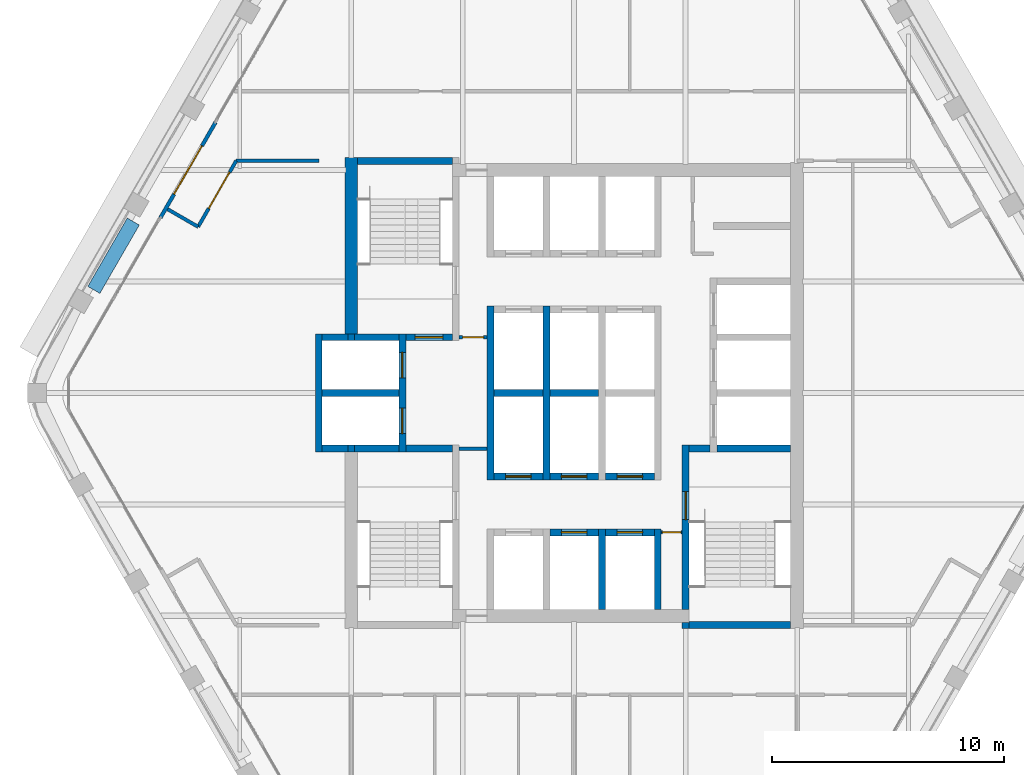
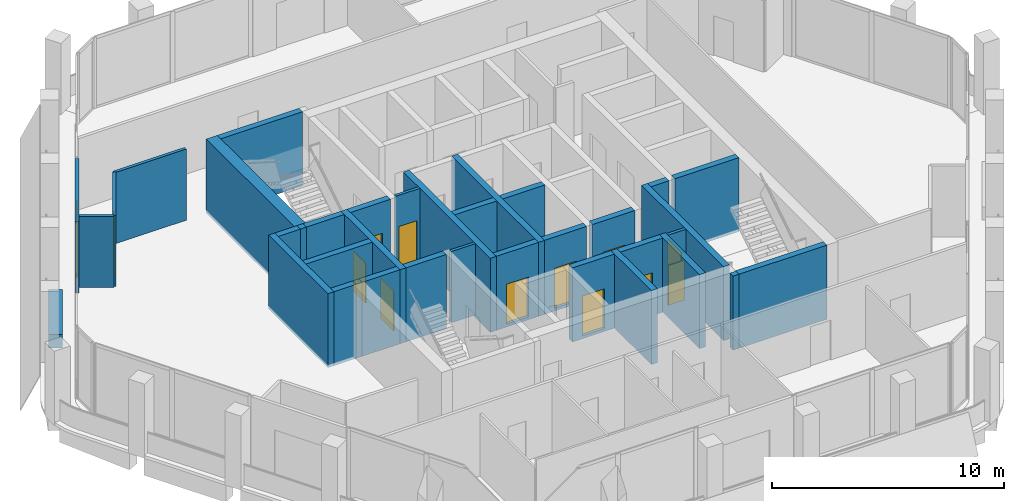
# One storey, part 8 of 13: 37 walls, 13 doors, 13 openings.
"""IFC4 building model written with IfcOpenShell, lengths in metres."""

from ifc_helpers import new_model, si_unit, direction, frame, frame_2d, origin, place, context, subcontext, project, spatial, rectangle, extrude, material, layer, layer_set, type_object, element, fill, save


model = new_model("IFC4")

# Units and contexts
model_context = context("Model", 3, precision=1e-05, world=origin(), true_north=direction((0.0, 1.0)))
body_context = subcontext(model_context, "Body", "Model", "MODEL_VIEW")
ifc_project = project(units=[si_unit("LENGTHUNIT", "METRE"), si_unit("AREAUNIT", "SQUARE_METRE"), si_unit("VOLUMEUNIT", "CUBIC_METRE"), si_unit("PLANEANGLEUNIT", "RADIAN"), si_unit("MASSUNIT", "GRAM", prefix="KILO")], contexts=[model_context])

# Site, building, storey
site_placement = place(None, origin())
site = spatial("IfcSite", under=ifc_project, at=site_placement, CompositionType="ELEMENT")
building_placement = place(site_placement, origin())
building = spatial("IfcBuilding", under=site, at=building_placement, Name="Kolab Exchange Tower", CompositionType="ELEMENT")
storey_placement = place(building_placement, frame((0.0, 0.0, 273.5)))
storey = spatial("IfcBuildingStorey", under=building, at=storey_placement, Name="L61", CompositionType="ELEMENT", Elevation=273.5)

# Wall
ifc_material_1 = material(Name="Concrete C50/60", Category="concrete")
ifc_layer_1 = layer(ifc_material_1, 0.550048828125)
ifc_layer_set_1 = layer_set([ifc_layer_1], Name="Concrete C50/60")
wall_type_1 = type_object("IfcWallType", Name="CORE WALL 550 C50/60", PredefinedType="SHEAR", material=ifc_layer_set_1)
wall_1_placement = place(storey_placement, frame((-9.60009765625, 2.550048828125, -0.14990234375), z_axis=(0.0, 0.0, 1.0), x_axis=(0.0, 1.0, 0.0)))
element("IfcWall", 1, at=wall_1_placement, inside=storey, type_object=wall_type_1, Name="wall/L61/core/037", PredefinedType="SHEAR", context=body_context, shape_type="SweptSolid", body=[
    extrude(rectangle(XDim=7.599853515625, YDim=0.550048828125, at=frame_2d((3.7998046875, 0.0))), origin(), (0.0, 0.0, 1.0), 3.89990234375),
])

# Wall, opening, door
ifc_material_2 = material(Name="Aluminium EN AW-6063 T6", Category="aluminium")
ifc_layer_2 = layer(ifc_material_2, 0.159912109375)
ifc_layer_set_2 = layer_set([ifc_layer_2], Name="Aluminium EN AW-6063 T6")
wall_type_2 = type_object("IfcWallType", Name="DOOR SURROUND WALL 160 ALUMINIUM FRAMED", PredefinedType="PARTITIONING", material=ifc_layer_set_2)
wall_2_placement = place(storey_placement, frame((-17.816650390625, 7.5498046875, 0.0), z_axis=(0.0, 0.0, 1.0), x_axis=(0.499978080042, 0.866038058908, 0.0)))
wall_2 = element("IfcWall", 2, at=wall_2_placement, inside=storey, type_object=wall_type_2, Name="Door surround wall", PredefinedType="PARTITIONING", context=body_context, shape_type="SweptSolid", body=[
    extrude(rectangle(XDim=4.739990234375, YDim=0.159912109375, at=frame_2d((2.3701171875, 0.0))), origin(), (0.0, 0.0, 1.0), 3.75),
])
opening_1_placement = place(wall_2_placement, frame((1.169921875, 0.0, 0.0)))
opening_1 = element("IfcOpeningElement", 3, at=opening_1_placement, cuts=wall_2, Name="Opening GD1-094", PredefinedType="OPENING", context=body_context, shape_type="SweptSolid", body=[
    extrude(rectangle(XDim=2.39990234375, YDim=2.39990234375, at=frame_2d((1.199951171875, 1.199951171875))), frame((0.0, 0.08984375, 0.0), z_axis=(0.0, -1.0, 0.0), x_axis=(1.0, 0.0, 0.0)), (0.0, 0.0, 1.0), 0.179931640625),
])
door_type_1 = type_object("IfcDoorType", Name="LOGGIA SLIDING GLASS DOOR 2400 X 2400", OperationType="DOUBLE_DOOR_SINGLE_SWING", PredefinedType="DOOR", material=ifc_material_2)
door_1_placement = place(opening_1_placement, origin())
door_1 = element("IfcDoor", 4, at=door_1_placement, inside=storey, type_object=door_type_1, Name="Loggia door", OperationType="DOUBLE_DOOR_SLIDING", OverallHeight=2.39990234375, OverallWidth=2.39990234375, PredefinedType="DOOR", context=body_context, shape_type="SweptSolid", body=[
    extrude(rectangle(XDim=2.39990234375, YDim=2.39990234375, at=frame_2d((1.199951171875, 1.199951171875))), frame((0.0, 0.02490234375, 0.0), z_axis=(0.0, -1.0, 0.0), x_axis=(1.0, 0.0, 0.0)), (0.0, 0.0, 1.0), 0.050048828125),
])
fill(opening_1, door_1)

ifc_layer_3 = layer(ifc_material_1, 0.300048828125)
ifc_layer_set_3 = layer_set([ifc_layer_3], Name="Concrete C50/60")
wall_type_3 = type_object("IfcWallType", Name="LIFT SHAFT WALL 300 C50/60", PredefinedType="STANDARD", material=ifc_layer_set_3)
wall_3_placement = place(storey_placement, frame((-1.050048828125, -6.0, -0.14990234375), z_axis=(0.0, 0.0, 1.0), x_axis=(1.0, 0.0, 0.0)))
wall_3 = element("IfcWall", 5, at=wall_3_placement, inside=storey, type_object=wall_type_3, Name="wall/L61/core/004", PredefinedType="STANDARD", context=body_context, shape_type="SweptSolid", body=[
    extrude(rectangle(XDim=2.10009765625, YDim=0.300048828125, at=frame_2d((1.050048828125, 0.0))), origin(), (0.0, 0.0, 1.0), 3.89990234375),
])
opening_2_placement = place(wall_3_placement, frame((0.5, 0.0, 0.14990234375)))
opening_2 = element("IfcOpeningElement", 6, at=opening_2_placement, cuts=wall_3, Name="Opening LD1-111", PredefinedType="OPENING", context=body_context, shape_type="SweptSolid", body=[
    extrude(rectangle(XDim=1.10009765625, YDim=2.10009765625, at=frame_2d((0.550048828125, 1.050048828125))), frame((0.0, 0.16015625, 0.0), z_axis=(0.0, -1.0, 0.0), x_axis=(1.0, 0.0, 0.0)), (0.0, 0.0, 1.0), 0.320068359375),
])
ifc_material_3 = material(Name="Stainless steel 316", Category="steel")
door_type_2 = type_object("IfcDoorType", Name="LANDING DOOR 1100 PASSENGER", OperationType="DOUBLE_DOOR_SLIDING", PredefinedType="DOOR", material=ifc_material_3)
door_2_placement = place(opening_2_placement, origin())
door_2 = element("IfcDoor", 7, at=door_2_placement, inside=storey, type_object=door_type_2, Name="Landing door HR11", OperationType="DOUBLE_DOOR_SLIDING", OverallHeight=2.10009765625, OverallWidth=1.10009765625, PredefinedType="DOOR", context=body_context, shape_type="SweptSolid", body=[
    extrude(rectangle(XDim=1.10009765625, YDim=2.10009765625, at=frame_2d((0.550048828125, 1.050048828125))), frame((0.0, 0.02490234375, 0.0), z_axis=(0.0, -1.0, 0.0), x_axis=(1.0, 0.0, 0.0)), (0.0, 0.0, 1.0), 0.050048828125),
])
fill(opening_2, door_2)

wall_4_placement = place(storey_placement, frame((1.35009765625, -6.0, -0.14990234375), z_axis=(0.0, 0.0, 1.0), x_axis=(1.0, 0.0, 0.0)))
wall_4 = element("IfcWall", 8, at=wall_4_placement, inside=storey, type_object=wall_type_3, Name="wall/L61/core/005", PredefinedType="STANDARD", context=body_context, shape_type="SweptSolid", body=[
    extrude(rectangle(XDim=2.099853515625, YDim=0.300048828125, at=frame_2d((1.0498046875, 0.0))), origin(), (0.0, 0.0, 1.0), 3.89990234375),
])
opening_3_placement = place(wall_4_placement, frame((0.5, 0.0, 0.14990234375)))
opening_3 = element("IfcOpeningElement", 9, at=opening_3_placement, cuts=wall_4, Name="Opening LD1-112", PredefinedType="OPENING", context=body_context, shape_type="SweptSolid", body=[
    extrude(rectangle(XDim=1.10009765625, YDim=2.10009765625, at=frame_2d((0.550048828125, 1.050048828125))), frame((0.0, 0.16015625, 0.0), z_axis=(0.0, -1.0, 0.0), x_axis=(1.0, 0.0, 0.0)), (0.0, 0.0, 1.0), 0.320068359375),
])
door_3_placement = place(opening_3_placement, origin())
door_3 = element("IfcDoor", 10, at=door_3_placement, inside=storey, type_object=door_type_2, Name="Landing door HR12", OperationType="DOUBLE_DOOR_SLIDING", OverallHeight=2.10009765625, OverallWidth=1.10009765625, PredefinedType="DOOR", context=body_context, shape_type="SweptSolid", body=[
    extrude(rectangle(XDim=1.10009765625, YDim=2.10009765625, at=frame_2d((0.550048828125, 1.050048828125))), frame((0.0, 0.02490234375, 0.0), z_axis=(0.0, -1.0, 0.0), x_axis=(1.0, 0.0, 0.0)), (0.0, 0.0, 1.0), 0.050048828125),
])
fill(opening_3, door_3)

wall_5_placement = place(storey_placement, frame((-3.449951171875, -3.60009765625, -0.14990234375), z_axis=(0.0, 0.0, 1.0), x_axis=(1.0, 0.0, 0.0)))
wall_5 = element("IfcWall", 11, at=wall_5_placement, inside=storey, type_object=wall_type_3, Name="wall/L61/core/006", PredefinedType="STANDARD", context=body_context, shape_type="SweptSolid", body=[
    extrude(rectangle(XDim=2.099853515625, YDim=0.300048828125, at=frame_2d((1.0498046875, 0.0))), origin(), (0.0, 0.0, 1.0), 3.89990234375),
])
opening_4_placement = place(wall_5_placement, frame((0.5, 0.0, 0.14990234375)))
opening_4 = element("IfcOpeningElement", 12, at=opening_4_placement, cuts=wall_5, Name="Opening LD1-118", PredefinedType="OPENING", context=body_context, shape_type="SweptSolid", body=[
    extrude(rectangle(XDim=1.10009765625, YDim=2.10009765625, at=frame_2d((0.550048828125, 1.050048828125))), frame((0.0, 0.16015625, 0.0), z_axis=(0.0, -1.0, 0.0), x_axis=(1.0, 0.0, 0.0)), (0.0, 0.0, 1.0), 0.320068359375),
])
door_4_placement = place(opening_4_placement, origin())
door_4 = element("IfcDoor", 13, at=door_4_placement, inside=storey, type_object=door_type_2, Name="Landing door HR7", OperationType="DOUBLE_DOOR_SLIDING", OverallHeight=2.10009765625, OverallWidth=1.10009765625, PredefinedType="DOOR", context=body_context, shape_type="SweptSolid", body=[
    extrude(rectangle(XDim=1.10009765625, YDim=2.10009765625, at=frame_2d((0.550048828125, 1.050048828125))), frame((0.0, 0.02490234375, 0.0), z_axis=(0.0, -1.0, 0.0), x_axis=(1.0, 0.0, 0.0)), (0.0, 0.0, 1.0), 0.050048828125),
])
fill(opening_4, door_4)

wall_6_placement = place(storey_placement, frame((-1.050048828125, -3.60009765625, -0.14990234375), z_axis=(0.0, 0.0, 1.0), x_axis=(1.0, 0.0, 0.0)))
wall_6 = element("IfcWall", 14, at=wall_6_placement, inside=storey, type_object=wall_type_3, Name="wall/L61/core/007", PredefinedType="STANDARD", context=body_context, shape_type="SweptSolid", body=[
    extrude(rectangle(XDim=2.10009765625, YDim=0.300048828125, at=frame_2d((1.050048828125, 0.0))), origin(), (0.0, 0.0, 1.0), 3.89990234375),
])
opening_5_placement = place(wall_6_placement, frame((0.5, 0.0, 0.14990234375)))
opening_5 = element("IfcOpeningElement", 15, at=opening_5_placement, cuts=wall_6, Name="Opening LD1-119", PredefinedType="OPENING", context=body_context, shape_type="SweptSolid", body=[
    extrude(rectangle(XDim=1.10009765625, YDim=2.10009765625, at=frame_2d((0.550048828125, 1.050048828125))), frame((0.0, 0.16015625, 0.0), z_axis=(0.0, -1.0, 0.0), x_axis=(1.0, 0.0, 0.0)), (0.0, 0.0, 1.0), 0.320068359375),
])
door_5_placement = place(opening_5_placement, origin())
door_5 = element("IfcDoor", 16, at=door_5_placement, inside=storey, type_object=door_type_2, Name="Landing door HR8", OperationType="DOUBLE_DOOR_SLIDING", OverallHeight=2.10009765625, OverallWidth=1.10009765625, PredefinedType="DOOR", context=body_context, shape_type="SweptSolid", body=[
    extrude(rectangle(XDim=1.10009765625, YDim=2.10009765625, at=frame_2d((0.550048828125, 1.050048828125))), frame((0.0, 0.02490234375, 0.0), z_axis=(0.0, -1.0, 0.0), x_axis=(1.0, 0.0, 0.0)), (0.0, 0.0, 1.0), 0.050048828125),
])
fill(opening_5, door_5)

wall_7_placement = place(storey_placement, frame((1.35009765625, -3.60009765625, -0.14990234375), z_axis=(0.0, 0.0, 1.0), x_axis=(1.0, 0.0, 0.0)))
wall_7 = element("IfcWall", 17, at=wall_7_placement, inside=storey, type_object=wall_type_3, Name="wall/L61/core/008", PredefinedType="STANDARD", context=body_context, shape_type="SweptSolid", body=[
    extrude(rectangle(XDim=2.099853515625, YDim=0.300048828125, at=frame_2d((1.0498046875, 0.0))), origin(), (0.0, 0.0, 1.0), 3.89990234375),
])
opening_6_placement = place(wall_7_placement, frame((0.5, 0.0, 0.14990234375)))
opening_6 = element("IfcOpeningElement", 18, at=opening_6_placement, cuts=wall_7, Name="Opening LD1-120", PredefinedType="OPENING", context=body_context, shape_type="SweptSolid", body=[
    extrude(rectangle(XDim=1.10009765625, YDim=2.10009765625, at=frame_2d((0.550048828125, 1.050048828125))), frame((0.0, 0.16015625, 0.0), z_axis=(0.0, -1.0, 0.0), x_axis=(1.0, 0.0, 0.0)), (0.0, 0.0, 1.0), 0.320068359375),
])
door_6_placement = place(opening_6_placement, origin())
door_6 = element("IfcDoor", 19, at=door_6_placement, inside=storey, type_object=door_type_2, Name="Landing door HR9", OperationType="DOUBLE_DOOR_SLIDING", OverallHeight=2.10009765625, OverallWidth=1.10009765625, PredefinedType="DOOR", context=body_context, shape_type="SweptSolid", body=[
    extrude(rectangle(XDim=1.10009765625, YDim=2.10009765625, at=frame_2d((0.550048828125, 1.050048828125))), frame((0.0, 0.02490234375, 0.0), z_axis=(0.0, -1.0, 0.0), x_axis=(1.0, 0.0, 0.0)), (0.0, 0.0, 1.0), 0.050048828125),
])
fill(opening_6, door_6)

# Walls
wall_8_placement = place(storey_placement, frame((-10.85009765625, -2.39990234375, -0.14990234375), z_axis=(0.0, 0.0, 1.0), x_axis=(1.0, 0.0, 0.0)))
element("IfcWall", 20, at=wall_8_placement, inside=storey, type_object=wall_type_3, Name="wall/L61/core/009", PredefinedType="STANDARD", context=body_context, shape_type="SweptSolid", body=[
    extrude(rectangle(XDim=1.10009765625, YDim=0.300048828125, at=frame_2d((0.550048828125, 0.0))), origin(), (0.0, 0.0, 1.0), 3.89990234375),
])
wall_9_placement = place(storey_placement, frame((-10.85009765625, 0.0, -0.14990234375), z_axis=(0.0, 0.0, 1.0), x_axis=(1.0, 0.0, 0.0)))
element("IfcWall", 21, at=wall_9_placement, inside=storey, type_object=wall_type_3, Name="wall/L61/core/014", PredefinedType="STANDARD", context=body_context, shape_type="SweptSolid", body=[
    extrude(rectangle(XDim=3.300048828125, YDim=0.300048828125, at=frame_2d((1.64990234375, 0.0))), origin(), (0.0, 0.0, 1.0), 3.89990234375),
])
wall_10_placement = place(storey_placement, frame((-3.449951171875, 0.0, -0.14990234375), z_axis=(0.0, 0.0, 1.0), x_axis=(1.0, 0.0, 0.0)))
element("IfcWall", 22, at=wall_10_placement, inside=storey, type_object=wall_type_3, Name="wall/L61/core/015", PredefinedType="STANDARD", context=body_context, shape_type="SweptSolid", body=[
    extrude(rectangle(XDim=2.099853515625, YDim=0.300048828125, at=frame_2d((1.0498046875, 0.0))), origin(), (0.0, 0.0, 1.0), 3.89990234375),
])
wall_11_placement = place(storey_placement, frame((-1.050048828125, 0.0, -0.14990234375), z_axis=(0.0, 0.0, 1.0), x_axis=(1.0, 0.0, 0.0)))
element("IfcWall", 23, at=wall_11_placement, inside=storey, type_object=wall_type_3, Name="wall/L61/core/016", PredefinedType="STANDARD", context=body_context, shape_type="SweptSolid", body=[
    extrude(rectangle(XDim=2.10009765625, YDim=0.300048828125, at=frame_2d((1.050048828125, 0.0))), origin(), (0.0, 0.0, 1.0), 3.89990234375),
])
wall_12_placement = place(storey_placement, frame((-10.85009765625, 2.39990234375, -0.14990234375), z_axis=(0.0, 0.0, 1.0), x_axis=(1.0, 0.0, 0.0)))
element("IfcWall", 24, at=wall_12_placement, inside=storey, type_object=wall_type_3, Name="wall/L61/core/019", PredefinedType="STANDARD", context=body_context, shape_type="SweptSolid", body=[
    extrude(rectangle(XDim=1.10009765625, YDim=0.300048828125, at=frame_2d((0.550048828125, 0.0))), origin(), (0.0, 0.0, 1.0), 3.89990234375),
])
wall_13_placement = place(storey_placement, frame((-11.0, -2.550048828125, -0.14990234375), z_axis=(0.0, 0.0, 1.0), x_axis=(0.0, 1.0, 0.0)))
element("IfcWall", 25, at=wall_13_placement, inside=storey, type_object=wall_type_3, Name="wall/L61/core/033", PredefinedType="STANDARD", context=body_context, shape_type="SweptSolid", body=[
    extrude(rectangle(XDim=5.10009765625, YDim=0.300048828125, at=frame_2d((2.550048828125, 0.0))), origin(), (0.0, 0.0, 1.0), 3.89990234375),
])

# Wall, openings, doors
wall_14_placement = place(storey_placement, frame((-7.39990234375, -2.550048828125, -0.14990234375), z_axis=(0.0, 0.0, 1.0), x_axis=(0.0, 1.0, 0.0)))
wall_14 = element("IfcWall", 26, at=wall_14_placement, inside=storey, type_object=wall_type_3, Name="wall/L61/core/038", PredefinedType="STANDARD", context=body_context, shape_type="SweptSolid", body=[
    extrude(rectangle(XDim=5.10009765625, YDim=0.300048828125, at=frame_2d((2.550048828125, 0.0))), origin(), (0.0, 0.0, 1.0), 3.89990234375),
])
opening_7_placement = place(wall_14_placement, frame((0.800048828125, 0.0, 0.14990234375)))
opening_7 = element("IfcOpeningElement", 27, at=opening_7_placement, cuts=wall_14, Name="Opening LD2-025", PredefinedType="OPENING", context=body_context, shape_type="SweptSolid", body=[
    extrude(rectangle(XDim=1.10009765625, YDim=2.10009765625, at=frame_2d((0.550048828125, 1.050048828125))), frame((0.0, 0.16015625, 0.0), z_axis=(0.0, -1.0, 0.0), x_axis=(1.0, 0.0, 0.0)), (0.0, 0.0, 1.0), 0.320068359375),
])
opening_8_placement = place(wall_14_placement, frame((3.199951171875, 0.0, 0.14990234375)))
opening_8 = element("IfcOpeningElement", 28, at=opening_8_placement, cuts=wall_14, Name="Opening LD2-026", PredefinedType="OPENING", context=body_context, shape_type="SweptSolid", body=[
    extrude(rectangle(XDim=1.10009765625, YDim=2.10009765625, at=frame_2d((0.550048828125, 1.050048828125))), frame((0.0, 0.16015625, 0.0), z_axis=(0.0, -1.0, 0.0), x_axis=(1.0, 0.0, 0.0)), (0.0, 0.0, 1.0), 0.320068359375),
])
door_type_3 = type_object("IfcDoorType", Name="LANDING DOOR 1100 FIREFIGHTING", OperationType="DOUBLE_DOOR_SLIDING", PredefinedType="DOOR", material=ifc_material_3)
door_7_placement = place(opening_7_placement, origin())
door_7 = element("IfcDoor", 29, at=door_7_placement, inside=storey, type_object=door_type_3, Name="Landing door FF1", OperationType="DOUBLE_DOOR_SLIDING", OverallHeight=2.10009765625, OverallWidth=1.10009765625, PredefinedType="DOOR", context=body_context, shape_type="SweptSolid", body=[
    extrude(rectangle(XDim=1.10009765625, YDim=2.10009765625, at=frame_2d((0.550048828125, 1.050048828125))), frame((0.0, 0.02490234375, 0.0), z_axis=(0.0, -1.0, 0.0), x_axis=(1.0, 0.0, 0.0)), (0.0, 0.0, 1.0), 0.050048828125),
])
fill(opening_7, door_7)
door_8_placement = place(opening_8_placement, origin())
door_8 = element("IfcDoor", 30, at=door_8_placement, inside=storey, type_object=door_type_3, Name="Landing door FF2", OperationType="DOUBLE_DOOR_SLIDING", OverallHeight=2.10009765625, OverallWidth=1.10009765625, PredefinedType="DOOR", context=body_context, shape_type="SweptSolid", body=[
    extrude(rectangle(XDim=1.10009765625, YDim=2.10009765625, at=frame_2d((0.550048828125, 1.050048828125))), frame((0.0, 0.02490234375, 0.0), z_axis=(0.0, -1.0, 0.0), x_axis=(1.0, 0.0, 0.0)), (0.0, 0.0, 1.0), 0.050048828125),
])
fill(opening_8, door_8)

# Walls
for number, where, z_axis, x_axis, name in (
    (31, (-3.60009765625, -3.75, -0.14990234375), (0.0, 0.0, 1.0), (0.0, 1.0, 0.0), "wall/L61/core/044"),
    (32, (-1.199951171875, -3.75, -0.14990234375), (0.0, 0.0, 1.0), (0.0, 1.0, 0.0), "wall/L61/core/047"),
):
    element("IfcWall", number, at=place(storey_placement, frame(where, z_axis=z_axis, x_axis=x_axis)), inside=storey, type_object=wall_type_3, Name=name, PredefinedType="STANDARD", context=body_context, shape_type="SweptSolid", body=[
        extrude(rectangle(XDim=7.5, YDim=0.300048828125, at=frame_2d((3.75, 0.0))), origin(), (0.0, 0.0, 1.0), 3.89990234375),
    ])
for number, where, z_axis, x_axis, name in (
    (33, (1.199951171875, -9.324951171875, -0.14990234375), (0.0, 0.0, 1.0), (0.0, 1.0, 0.0), "wall/L61/core/049"),
    (34, (3.60009765625, -9.324951171875, -0.14990234375), (0.0, 0.0, 1.0), (0.0, 1.0, 0.0), "wall/L61/core/052"),
):
    element("IfcWall", number, at=place(storey_placement, frame(where, z_axis=z_axis, x_axis=x_axis)), inside=storey, type_object=wall_type_3, Name=name, PredefinedType="STANDARD", context=body_context, shape_type="SweptSolid", body=[
        extrude(rectangle(XDim=3.474853515625, YDim=0.300048828125, at=frame_2d((1.7373046875, 0.0))), origin(), (0.0, 0.0, 1.0), 3.89990234375),
    ])

# Wall, opening, door
ifc_material_4 = material(Name="Gypsum board", Category="gypsum")
ifc_layer_4 = layer(ifc_material_4, 0.14990234375)
ifc_layer_set_4 = layer_set([ifc_layer_4], Name="Gypsum board")
wall_type_4 = type_object("IfcWallType", Name="PARTITION 150 FIRE-RATED", PredefinedType="PARTITIONING", material=ifc_layer_set_4)
wall_15_placement = place(storey_placement, frame((-16.196044921875, 7.15673828125, 0.0), z_axis=(0.0, 0.0, 1.0), x_axis=(0.499954196102, 0.866051847062, 0.0)))
wall_15 = element("IfcWall", 35, at=wall_15_placement, inside=storey, type_object=wall_type_4, Name="Partition 012", PredefinedType="PARTITIONING", context=body_context, shape_type="SweptSolid", body=[
    extrude(rectangle(XDim=3.282958984375, YDim=0.14990234375, at=frame_2d((1.6416015625, 0.0))), origin(), (0.0, 0.0, 1.0), 3.75),
])
opening_9_placement = place(wall_15_placement, frame((0.9140625, 0.0, 0.0)))
opening_9 = element("IfcOpeningElement", 36, at=opening_9_placement, cuts=wall_15, Name="Opening D2-068", PredefinedType="OPENING", context=body_context, shape_type="SweptSolid", body=[
    extrude(rectangle(XDim=1.800048828125, YDim=2.10009765625, at=frame_2d((0.89990234375, 1.050048828125))), frame((0.0, 0.0849609375, 0.0), z_axis=(0.0, -1.0, 0.0), x_axis=(1.0, 0.0, 0.0)), (0.0, 0.0, 1.0), 0.169921875),
])
ifc_material_5 = material(Name="Steel S235", Category="steel")
door_type_4 = type_object("IfcDoorType", Name="DOUBLE DOOR 1800 FD60", OperationType="DOUBLE_DOOR_SINGLE_SWING", PredefinedType="DOOR", material=ifc_material_5)
door_9_placement = place(opening_9_placement, frame((1.800048828125, 0.0, 0.0), z_axis=(0.0, 0.0, 1.0), x_axis=(-1.0, 0.0, 0.0)))
door_9 = element("IfcDoor", 37, at=door_9_placement, inside=storey, type_object=door_type_4, Name="Door L61-039", OperationType="SINGLE_SWING_RIGHT", OverallHeight=2.10009765625, OverallWidth=1.800048828125, PredefinedType="DOOR", context=body_context, shape_type="SweptSolid", body=[
    extrude(rectangle(XDim=1.800048828125, YDim=2.10009765625, at=frame_2d((0.89990234375, 1.050048828125))), frame((0.0, 0.02490234375, 0.0), z_axis=(0.0, -1.0, 0.0), x_axis=(1.0, 0.0, 0.0)), (0.0, 0.0, 1.0), 0.050048828125),
])
fill(opening_9, door_9)

# Wall
wall_16_placement = place(storey_placement, frame((-17.512451171875, 7.9169921875, 0.0), z_axis=(0.0, 0.0, 1.0), x_axis=(0.865960906633, -0.500111695708, 0.0)))
element("IfcWall", 38, at=wall_16_placement, inside=storey, type_object=wall_type_4, Name="Partition 013", PredefinedType="PARTITIONING", context=body_context, shape_type="SweptSolid", body=[
    extrude(rectangle(XDim=1.520263671875, YDim=0.14990234375, at=frame_2d((0.76025390625, 0.0))), origin(), (0.0, 0.0, 1.0), 3.75),
])

# Wall, opening, door
wall_17_placement = place(storey_placement, frame((3.75, -6.0, 0.0), z_axis=(0.0, 0.0, 1.0), x_axis=(1.0, 0.0, 0.0)))
wall_17 = element("IfcWall", 39, at=wall_17_placement, inside=storey, type_object=wall_type_4, Name="Partition 021", PredefinedType="PARTITIONING", context=body_context, shape_type="SweptSolid", body=[
    extrude(rectangle(XDim=0.89990234375, YDim=0.14990234375, at=frame_2d((0.449951171875, 0.0))), origin(), (0.0, 0.0, 1.0), 3.75),
])
opening_10_placement = place(wall_17_placement, frame((0.050048828125, 0.0, 0.0)))
opening_10 = element("IfcOpeningElement", 40, at=opening_10_placement, cuts=wall_17, Name="Opening D7-041", PredefinedType="OPENING", context=body_context, shape_type="SweptSolid", body=[
    extrude(rectangle(XDim=0.800048828125, YDim=2.10009765625, at=frame_2d((0.39990234375, 1.050048828125))), frame((0.0, 0.0849609375, 0.0), z_axis=(0.0, -1.0, 0.0), x_axis=(1.0, 0.0, 0.0)), (0.0, 0.0, 1.0), 0.169921875),
])
door_type_5 = type_object("IfcDoorType", Name="FLUSH DOOR 800 FD60", OperationType="SINGLE_SWING_LEFT", PredefinedType="DOOR", material=ifc_material_5)
door_10_placement = place(opening_10_placement, frame((0.800048828125, 0.0, 0.0), z_axis=(0.0, 0.0, 1.0), x_axis=(-1.0, 0.0, 0.0)))
door_10 = element("IfcDoor", 41, at=door_10_placement, inside=storey, type_object=door_type_5, Name="Door L61-024", OperationType="SINGLE_SWING_RIGHT", OverallHeight=2.10009765625, OverallWidth=0.800048828125, PredefinedType="DOOR", context=body_context, shape_type="SweptSolid", body=[
    extrude(rectangle(XDim=0.800048828125, YDim=2.10009765625, at=frame_2d((0.39990234375, 1.050048828125))), frame((0.0, 0.02490234375, 0.0), z_axis=(0.0, -1.0, 0.0), x_axis=(1.0, 0.0, 0.0)), (0.0, 0.0, 1.0), 0.050048828125),
])
fill(opening_10, door_10)

# Wall
wall_18_placement = place(storey_placement, frame((-14.5546875, 10.0, 0.0), z_axis=(0.0, 0.0, 1.0), x_axis=(1.0, 0.0, 0.0)))
element("IfcWall", 42, at=wall_18_placement, inside=storey, type_object=wall_type_4, Name="Partition 023", PredefinedType="PARTITIONING", context=body_context, shape_type="SweptSolid", body=[
    extrude(rectangle(XDim=3.5546875, YDim=0.14990234375, at=frame_2d((1.77734375, 0.0))), origin(), (0.0, 0.0, 1.0), 3.75),
])

# Wall, opening, door
wall_19_placement = place(storey_placement, frame((-4.949951171875, 2.39990234375, 0.0), z_axis=(0.0, 0.0, 1.0), x_axis=(1.0, 0.0, 0.0)))
wall_19 = element("IfcWall", 43, at=wall_19_placement, inside=storey, type_object=wall_type_4, Name="Fire partition", PredefinedType="PARTITIONING", context=body_context, shape_type="SweptSolid", body=[
    extrude(rectangle(XDim=1.199951171875, YDim=0.14990234375, at=frame_2d((0.60009765625, 0.0))), origin(), (0.0, 0.0, 1.0), 3.75),
])
opening_11_placement = place(wall_19_placement, frame((0.14990234375, 0.0, 0.0)))
opening_11 = element("IfcOpeningElement", 44, at=opening_11_placement, cuts=wall_19, Name="Opening D6-288", PredefinedType="OPENING", context=body_context, shape_type="SweptSolid", body=[
    extrude(rectangle(XDim=0.89990234375, YDim=2.10009765625, at=frame_2d((0.449951171875, 1.050048828125))), frame((0.0, 0.0849609375, 0.0), z_axis=(0.0, -1.0, 0.0), x_axis=(1.0, 0.0, 0.0)), (0.0, 0.0, 1.0), 0.169921875),
])
door_type_6 = type_object("IfcDoorType", Name="CORE DOOR 900 EI 120", OperationType="SINGLE_SWING_LEFT", PredefinedType="DOOR", material=ifc_material_5)
door_11_placement = place(opening_11_placement, frame((0.89990234375, 0.0, 0.0), z_axis=(0.0, 0.0, 1.0), x_axis=(-1.0, 0.0, 0.0)))
door_11 = element("IfcDoor", 45, at=door_11_placement, inside=storey, type_object=door_type_6, Name="Firefighting lobby door", OperationType="SINGLE_SWING_RIGHT", OverallHeight=2.10009765625, OverallWidth=0.89990234375, PredefinedType="DOOR", context=body_context, shape_type="SweptSolid", body=[
    extrude(rectangle(XDim=0.89990234375, YDim=2.10009765625, at=frame_2d((0.449951171875, 1.050048828125))), frame((0.0, 0.02490234375, 0.0), z_axis=(0.0, -1.0, 0.0), x_axis=(1.0, 0.0, 0.0)), (0.0, 0.0, 1.0), 0.050048828125),
])
fill(opening_11, door_11)

# Walls
wall_20_placement = place(storey_placement, frame((-4.949951171875, -2.39990234375, 0.0), z_axis=(0.0, 0.0, 1.0), x_axis=(1.0, 0.0, 0.0)))
element("IfcWall", 46, at=wall_20_placement, inside=storey, type_object=wall_type_4, Name="Fire partition", PredefinedType="PARTITIONING", context=body_context, shape_type="SweptSolid", body=[
    extrude(rectangle(XDim=1.199951171875, YDim=0.14990234375, at=frame_2d((0.60009765625, 0.0))), origin(), (0.0, 0.0, 1.0), 3.75),
])
ifc_material_6 = material(Name="Granite facing", Category="masonry")
ifc_layer_5 = layer(ifc_material_6, 0.0400390625)
ifc_material_7 = material(Name="Concrete C40/50 precast", Category="concrete")
ifc_layer_6 = layer(ifc_material_7, 0.56005859375)
ifc_layer_set_5 = layer_set([ifc_layer_5, ifc_layer_6], Name="Concrete C40/50 precast")
wall_type_5 = type_object("IfcWallType", Name="PLANTER BOX 600 X 700 SOIL DEPTH 550", PredefinedType="USERDEFINED", material=ifc_layer_set_5)
wall_21_placement = place(storey_placement, frame((-20.68701171875, 4.438232421875, 0.0), z_axis=(0.0, 0.0, 1.0), x_axis=(0.500008388397, 0.866020560687, 0.0)))
element("IfcWall", 47, at=wall_21_placement, inside=storey, type_object=wall_type_5, Name="Planter", ObjectType="PLANTER", PredefinedType="USERDEFINED", context=body_context, shape_type="SweptSolid", body=[
    extrude(rectangle(XDim=3.39990234375, YDim=0.60009765625, at=frame_2d((1.699951171875, 0.0))), origin(), (0.0, 0.0, 1.0), 0.699951171875),
])
ifc_layer_7 = layer(ifc_material_1, 0.300048828125)
ifc_layer_set_6 = layer_set([ifc_layer_7], Name="Concrete C50/60")
wall_type_6 = type_object("IfcWallType", Name="STAIR ENCLOSURE WALL 300 C50/60", PredefinedType="STANDARD", material=ifc_layer_set_6)
wall_22_placement = place(storey_placement, frame((4.949951171875, -10.0, -0.14990234375), z_axis=(0.0, 0.0, 1.0), x_axis=(1.0, 0.0, 0.0)))
element("IfcWall", 48, at=wall_22_placement, inside=storey, type_object=wall_type_6, Name="wall/L61/core/001", PredefinedType="STANDARD", context=body_context, shape_type="SweptSolid", body=[
    extrude(rectangle(XDim=4.375, YDim=0.300048828125, at=frame_2d((2.1875, 0.0))), origin(), (0.0, 0.0, 1.0), 3.89990234375),
])
wall_23_placement = place(storey_placement, frame((-9.449951171875, -2.39990234375, -0.14990234375), z_axis=(0.0, 0.0, 1.0), x_axis=(1.0, 0.0, 0.0)))
element("IfcWall", 49, at=wall_23_placement, inside=storey, type_object=wall_type_6, Name="wall/L61/core/010", PredefinedType="STANDARD", context=body_context, shape_type="SweptSolid", body=[
    extrude(rectangle(XDim=1.89990234375, YDim=0.300048828125, at=frame_2d((0.949951171875, 0.0))), origin(), (0.0, 0.0, 1.0), 3.89990234375),
])
wall_24_placement = place(storey_placement, frame((-7.25, -2.39990234375, -0.14990234375), z_axis=(0.0, 0.0, 1.0), x_axis=(1.0, 0.0, 0.0)))
element("IfcWall", 50, at=wall_24_placement, inside=storey, type_object=wall_type_6, Name="wall/L61/core/011", PredefinedType="STANDARD", context=body_context, shape_type="SweptSolid", body=[
    extrude(rectangle(XDim=2.0, YDim=0.300048828125, at=frame_2d((1.0, 0.0))), origin(), (0.0, 0.0, 1.0), 3.89990234375),
])
wall_25_placement = place(storey_placement, frame((4.949951171875, -2.39990234375, -0.14990234375), z_axis=(0.0, 0.0, 1.0), x_axis=(1.0, 0.0, 0.0)))
element("IfcWall", 51, at=wall_25_placement, inside=storey, type_object=wall_type_6, Name="wall/L61/core/012", PredefinedType="STANDARD", context=body_context, shape_type="SweptSolid", body=[
    extrude(rectangle(XDim=0.900146484375, YDim=0.300048828125, at=frame_2d((0.4501953125, 0.0))), origin(), (0.0, 0.0, 1.0), 3.89990234375),
])
wall_26_placement = place(storey_placement, frame((6.14990234375, -2.39990234375, -0.14990234375), z_axis=(0.0, 0.0, 1.0), x_axis=(1.0, 0.0, 0.0)))
element("IfcWall", 52, at=wall_26_placement, inside=storey, type_object=wall_type_6, Name="wall/L61/core/013", PredefinedType="STANDARD", context=body_context, shape_type="SweptSolid", body=[
    extrude(rectangle(XDim=3.175048828125, YDim=0.300048828125, at=frame_2d((1.58740234375, 0.0))), origin(), (0.0, 0.0, 1.0), 3.89990234375),
])
wall_27_placement = place(storey_placement, frame((-9.449951171875, 2.39990234375, -0.14990234375), z_axis=(0.0, 0.0, 1.0), x_axis=(1.0, 0.0, 0.0)))
element("IfcWall", 53, at=wall_27_placement, inside=storey, type_object=wall_type_6, Name="wall/L61/core/020", PredefinedType="STANDARD", context=body_context, shape_type="SweptSolid", body=[
    extrude(rectangle(XDim=1.89990234375, YDim=0.300048828125, at=frame_2d((0.949951171875, 0.0))), origin(), (0.0, 0.0, 1.0), 3.89990234375),
])

# Wall, opening, door
wall_28_placement = place(storey_placement, frame((-7.25, 2.39990234375, -0.14990234375), z_axis=(0.0, 0.0, 1.0), x_axis=(1.0, 0.0, 0.0)))
wall_28 = element("IfcWall", 54, at=wall_28_placement, inside=storey, type_object=wall_type_6, Name="wall/L61/core/021", PredefinedType="STANDARD", context=body_context, shape_type="SweptSolid", body=[
    extrude(rectangle(XDim=2.0, YDim=0.300048828125, at=frame_2d((1.0, 0.0))), origin(), (0.0, 0.0, 1.0), 3.89990234375),
])
opening_12_placement = place(wall_28_placement, frame((0.39990234375, 0.0, 0.14990234375)))
opening_12 = element("IfcOpeningElement", 55, at=opening_12_placement, cuts=wall_28, Name="Opening D4-065", PredefinedType="OPENING", context=body_context, shape_type="SweptSolid", body=[
    extrude(rectangle(XDim=1.199951171875, YDim=2.10009765625, at=frame_2d((0.60009765625, 1.050048828125))), frame((0.0, 0.16015625, 0.0), z_axis=(0.0, -1.0, 0.0), x_axis=(1.0, 0.0, 0.0)), (0.0, 0.0, 1.0), 0.320068359375),
])
door_type_7 = type_object("IfcDoorType", Name="STAIR DOOR 1200 EI 120", OperationType="SINGLE_SWING_LEFT", PredefinedType="DOOR", material=ifc_material_5)
door_12_placement = place(opening_12_placement, origin())
door_12 = element("IfcDoor", 56, at=door_12_placement, inside=storey, type_object=door_type_7, Name="Stair 1 door", OperationType="SINGLE_SWING_RIGHT", OverallHeight=2.10009765625, OverallWidth=1.199951171875, PredefinedType="DOOR", context=body_context, shape_type="SweptSolid", body=[
    extrude(rectangle(XDim=1.199951171875, YDim=2.10009765625, at=frame_2d((0.60009765625, 1.050048828125))), frame((0.0, 0.02490234375, 0.0), z_axis=(0.0, -1.0, 0.0), x_axis=(1.0, 0.0, 0.0)), (0.0, 0.0, 1.0), 0.050048828125),
])
fill(opening_12, door_12)

# Walls
wall_29_placement = place(storey_placement, frame((-9.324951171875, 10.0, -0.14990234375), z_axis=(0.0, 0.0, 1.0), x_axis=(1.0, 0.0, 0.0)))
element("IfcWall", 57, at=wall_29_placement, inside=storey, type_object=wall_type_6, Name="wall/L61/core/032", PredefinedType="STANDARD", context=body_context, shape_type="SweptSolid", body=[
    extrude(rectangle(XDim=4.074951171875, YDim=0.300048828125, at=frame_2d((2.03759765625, 0.0))), origin(), (0.0, 0.0, 1.0), 3.89990234375),
])
for number, where, z_axis, x_axis, name in (
    (58, (-9.60009765625, -2.550048828125, -0.14990234375), (0.0, 0.0, 1.0), (0.0, 1.0, 0.0), "wall/L61/core/035"),
    (59, (-9.60009765625, 2.25, -0.14990234375), (0.0, 0.0, 1.0), (0.0, 1.0, 0.0), "wall/L61/core/036"),
):
    element("IfcWall", number, at=place(storey_placement, frame(where, z_axis=z_axis, x_axis=x_axis)), inside=storey, type_object=wall_type_6, Name=name, PredefinedType="STANDARD", context=body_context, shape_type="SweptSolid", body=[
        extrude(rectangle(XDim=0.300048828125, YDim=0.300048828125, at=frame_2d((0.14990234375, 0.0))), origin(), (0.0, 0.0, 1.0), 3.89990234375),
    ])
wall_30_placement = place(storey_placement, frame((4.800048828125, -10.14990234375, -0.14990234375), z_axis=(0.0, 0.0, 1.0), x_axis=(0.0, 1.0, 0.0)))
element("IfcWall", 60, at=wall_30_placement, inside=storey, type_object=wall_type_6, Name="wall/L61/core/055", PredefinedType="STANDARD", context=body_context, shape_type="SweptSolid", body=[
    extrude(rectangle(XDim=0.27490234375, YDim=0.300048828125, at=frame_2d((0.137451171875, 0.0))), origin(), (0.0, 0.0, 1.0), 3.89990234375),
])

# Wall, opening, door
wall_31_placement = place(storey_placement, frame((4.800048828125, -9.324951171875, -0.14990234375), z_axis=(0.0, 0.0, 1.0), x_axis=(0.0, 1.0, 0.0)))
wall_31 = element("IfcWall", 61, at=wall_31_placement, inside=storey, type_object=wall_type_6, Name="wall/L61/core/056", PredefinedType="STANDARD", context=body_context, shape_type="SweptSolid", body=[
    extrude(rectangle(XDim=7.074951171875, YDim=0.300048828125, at=frame_2d((3.53759765625, 0.0))), origin(), (0.0, 0.0, 1.0), 3.89990234375),
])
opening_13_placement = place(wall_31_placement, frame((3.875, 0.0, 0.14990234375)))
opening_13 = element("IfcOpeningElement", 62, at=opening_13_placement, cuts=wall_31, Name="Opening D4-077", PredefinedType="OPENING", context=body_context, shape_type="SweptSolid", body=[
    extrude(rectangle(XDim=1.199951171875, YDim=2.10009765625, at=frame_2d((0.60009765625, 1.050048828125))), frame((0.0, 0.16015625, 0.0), z_axis=(0.0, -1.0, 0.0), x_axis=(1.0, 0.0, 0.0)), (0.0, 0.0, 1.0), 0.320068359375),
])
door_13_placement = place(opening_13_placement, frame((1.199951171875, 0.0, 0.0), z_axis=(0.0, 0.0, 1.0), x_axis=(-1.0, 0.0, 0.0)))
door_13 = element("IfcDoor", 63, at=door_13_placement, inside=storey, type_object=door_type_7, Name="Stair 2 door", OperationType="SINGLE_SWING_RIGHT", OverallHeight=2.10009765625, OverallWidth=1.199951171875, PredefinedType="DOOR", context=body_context, shape_type="SweptSolid", body=[
    extrude(rectangle(XDim=1.199951171875, YDim=2.10009765625, at=frame_2d((0.60009765625, 1.050048828125))), frame((0.0, 0.02490234375, 0.0), z_axis=(0.0, -1.0, 0.0), x_axis=(1.0, 0.0, 0.0)), (0.0, 0.0, 1.0), 0.050048828125),
])
fill(opening_13, door_13)

save(model, "model.ifc")
